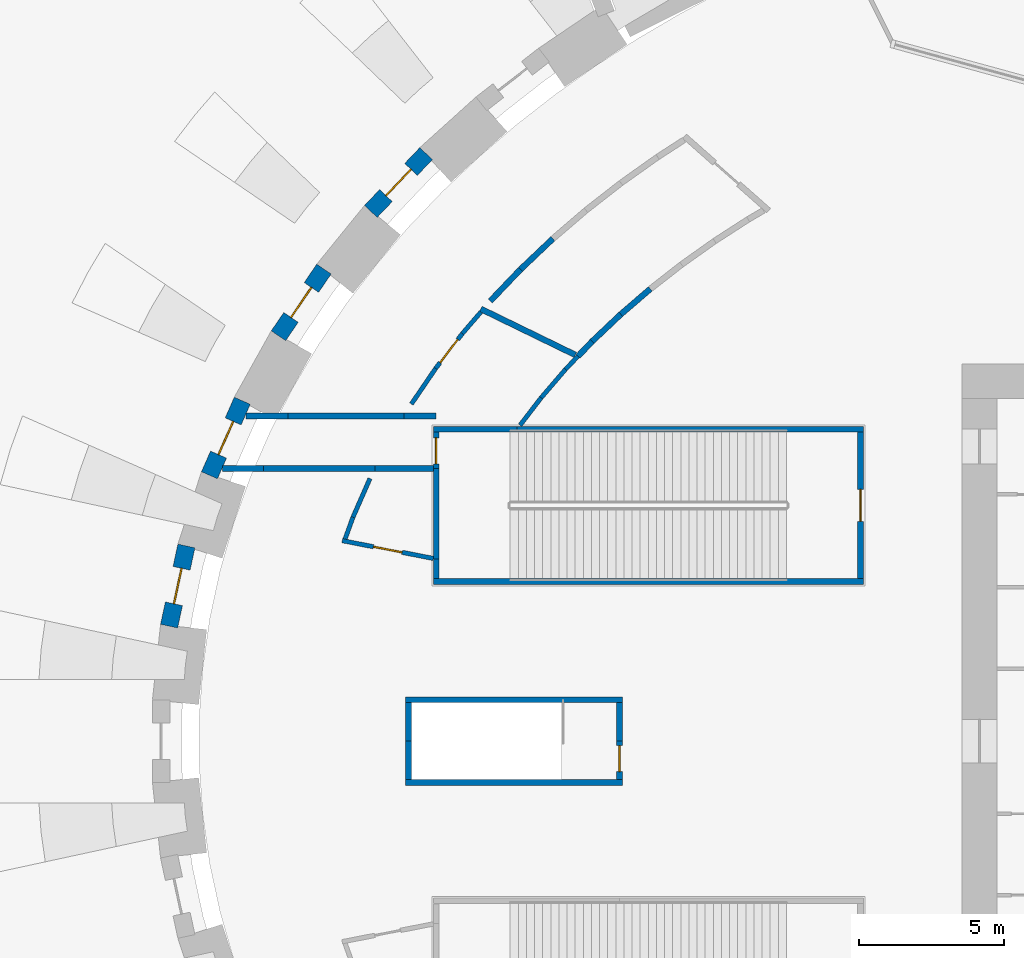
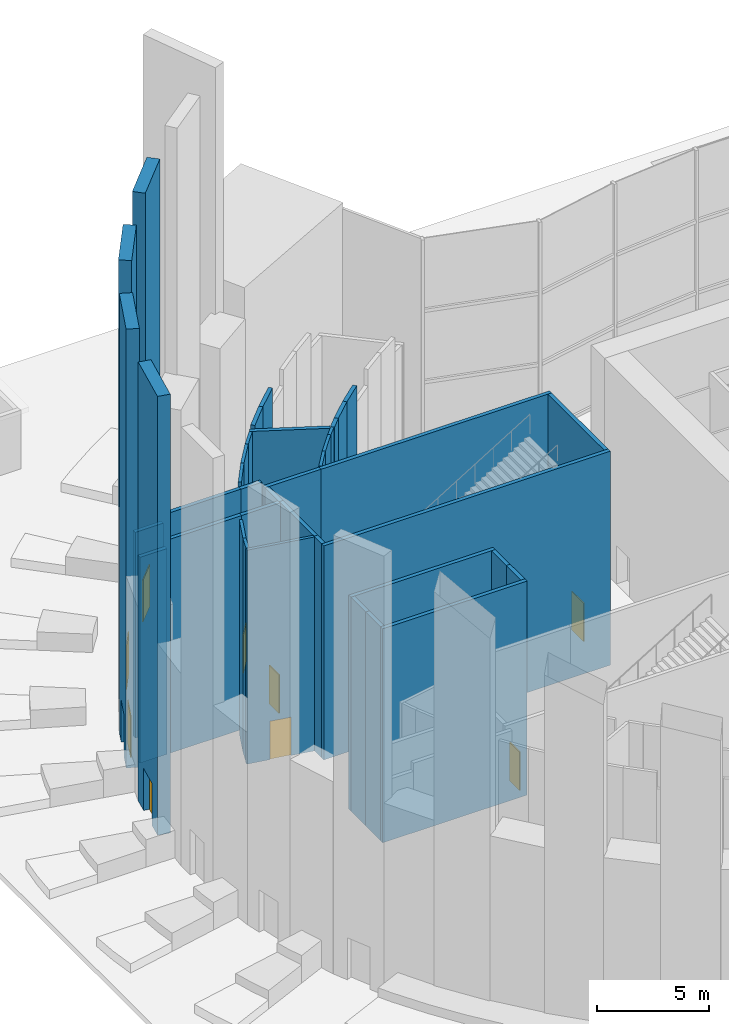
# One storey, part 9 of 25: 38 walls, 9 doors, 9 openings.
"""IFC4 building model written with IfcOpenShell, lengths in metres."""

from ifc_helpers import new_model, si_unit, direction, frame, frame_2d, origin, place, context, subcontext, project, spatial, rectangle, extrude, source, transform, mapped, material, layer, layer_set, type_object, element, fill, save


model = new_model("IFC4")

# Units and contexts
model_context = context("Model", 3, precision=1e-05, world=origin(), true_north=direction((0.0, 1.0)))
body_context = subcontext(model_context, "Body", "Model", "MODEL_VIEW")
ifc_project = project(units=[si_unit("LENGTHUNIT", "METRE"), si_unit("AREAUNIT", "SQUARE_METRE"), si_unit("VOLUMEUNIT", "CUBIC_METRE"), si_unit("PLANEANGLEUNIT", "RADIAN"), si_unit("MASSUNIT", "GRAM", prefix="KILO")], contexts=[model_context])

# Site, building, storey
site_placement = place(None, origin())
site = spatial("IfcSite", under=ifc_project, at=site_placement, CompositionType="ELEMENT")
building_placement = place(site_placement, origin())
building = spatial("IfcBuilding", under=site, at=building_placement, Name="Embergate Tower", CompositionType="ELEMENT")
storey_placement = place(building_placement, origin())
storey = spatial("IfcBuildingStorey", under=building, at=storey_placement, Name="L00", CompositionType="ELEMENT", Elevation=0.0)

# Wall, opening, door
ifc_material_1 = material(Name="Brick masonry, solid, with terracotta coping", Category="masonry")
ifc_layer_1 = layer(ifc_material_1, 0.60009765625)
ifc_layer_set_1 = layer_set([ifc_layer_1], Name="Brick masonry, solid, with terracotta coping")
wall_type_1 = type_object("IfcWallType", Name="Masonry base wall", PredefinedType="SOLIDWALL", material=ifc_layer_set_1)
shared_shape_1 = source(origin(), body_context, "Body", "SweptSolid", [
    extrude(rectangle(XDim=2.75634765625, YDim=0.60009765625, at=frame_2d((1.378173828125, 0.0))), origin(), (0.0, 0.0, 1.0), 24.0),
])
wall_1_placement = place(storey_placement, frame((-34.37060546875, 18.251708984375, 0.0), z_axis=(0.0, 0.0, 1.0), x_axis=(0.691073808808, 0.722784193781, 0.0)))
wall_1 = element("IfcWall", 1, at=wall_1_placement, inside=storey, type_object=wall_type_1, Name="Masonry base wall 18", PredefinedType="SOLIDWALL", context=body_context, shape_type="MappedRepresentation", body=[
    mapped(shared_shape_1, transform((0.0, 0.0, 0.0))),
])
shared_shape_2 = source(origin(), body_context, "Body", "SweptSolid", [
    extrude(rectangle(XDim=1.25, YDim=2.300048828125, at=frame_2d((0.625, 1.14990234375))), frame((0.0, 0.31005859375, 0.0), z_axis=(0.0, -1.0, 0.0), x_axis=(1.0, 0.0, 0.0)), (0.0, 0.0, 1.0), 0.6201171875),
])
opening_1_placement = place(wall_1_placement, frame((0.75341796875, 0.0, 0.0)))
opening_1 = element("IfcOpeningElement", 2, at=opening_1_placement, cuts=wall_1, Name="Opening XD", PredefinedType="OPENING", context=body_context, shape_type="MappedRepresentation", body=[
    mapped(shared_shape_2, transform((0.0, 0.0, 0.0))),
])
ifc_material_2 = material(Name="Aluminium and toughened glass", Category="aluminium")
door_type_1 = type_object("IfcDoorType", Name="Exit door leaf", OperationType="SINGLE_SWING_LEFT", PredefinedType="DOOR", material=ifc_material_2)
shared_shape_3 = source(origin(), body_context, "Body", "SweptSolid", [
    extrude(rectangle(XDim=1.25, YDim=2.300048828125, at=frame_2d((0.625, 1.14990234375))), frame((0.0, 0.02490234375, 0.0), z_axis=(0.0, -1.0, 0.0), x_axis=(1.0, 0.0, 0.0)), (0.0, 0.0, 1.0), 0.050048828125),
])
door_1_placement = place(opening_1_placement, origin())
door_1 = element("IfcDoor", 3, at=door_1_placement, inside=storey, type_object=door_type_1, Name="Exit door exit 18.1", OperationType="SINGLE_SWING_LEFT", OverallHeight=2.300048828125, OverallWidth=1.25, PredefinedType="DOOR", context=body_context, shape_type="MappedRepresentation", body=[
    mapped(shared_shape_3, transform((0.0, 0.0, 0.0))),
])
fill(opening_1, door_1)

shared_shape_4 = source(origin(), body_context, "Body", "SweptSolid", [
    extrude(rectangle(XDim=2.781982421875, YDim=0.60009765625, at=frame_2d((1.39111328125, 0.0))), origin(), (0.0, 0.0, 1.0), 24.0),
])
wall_2_placement = place(storey_placement, frame((-37.553466796875, 13.967041015625, 0.0), z_axis=(0.0, 0.0, 1.0), x_axis=(0.563478413483, 0.826130787187, 0.0)))
wall_2 = element("IfcWall", 4, at=wall_2_placement, inside=storey, type_object=wall_type_1, Name="Masonry base wall 19", PredefinedType="SOLIDWALL", context=body_context, shape_type="MappedRepresentation", body=[
    mapped(shared_shape_4, transform((0.0, 0.0, 0.0))),
])
opening_2_placement = place(wall_2_placement, frame((0.76611328125, 0.0, 0.0)))
opening_2 = element("IfcOpeningElement", 5, at=opening_2_placement, cuts=wall_2, Name="Opening XD", PredefinedType="OPENING", context=body_context, shape_type="MappedRepresentation", body=[
    mapped(shared_shape_2, transform((0.0, 0.0, 0.0))),
])
door_2_placement = place(opening_2_placement, origin())
door_2 = element("IfcDoor", 6, at=door_2_placement, inside=storey, type_object=door_type_1, Name="Exit door exit 19.1", OperationType="SINGLE_SWING_LEFT", OverallHeight=2.300048828125, OverallWidth=1.25, PredefinedType="DOOR", context=body_context, shape_type="MappedRepresentation", body=[
    mapped(shared_shape_3, transform((0.0, 0.0, 0.0))),
])
fill(opening_2, door_2)

shared_shape_5 = source(origin(), body_context, "Body", "SweptSolid", [
    extrude(rectangle(XDim=2.8076171875, YDim=0.60009765625, at=frame_2d((1.40380859375, 0.0))), origin(), (0.0, 0.0, 1.0), 24.0),
])
wall_3_placement = place(storey_placement, frame((-39.930908203125, 9.160888671875, 0.0), z_axis=(0.0, 0.0, 1.0), x_axis=(0.402852255888, 0.915265021688, 0.0)))
wall_3 = element("IfcWall", 7, at=wall_3_placement, inside=storey, type_object=wall_type_1, Name="Masonry base wall 20", PredefinedType="SOLIDWALL", context=body_context, shape_type="MappedRepresentation", body=[
    mapped(shared_shape_5, transform((0.0, 0.0, 0.0))),
])
opening_3_placement = place(wall_3_placement, frame((0.77880859375, 0.0, 0.0)))
opening_3 = element("IfcOpeningElement", 8, at=opening_3_placement, cuts=wall_3, Name="Opening XD", PredefinedType="OPENING", context=body_context, shape_type="MappedRepresentation", body=[
    mapped(shared_shape_2, transform((0.0, 0.0, 0.0))),
])
door_3_placement = place(opening_3_placement, origin())
door_3 = element("IfcDoor", 9, at=door_3_placement, inside=storey, type_object=door_type_1, Name="Exit door exit 20.1", OperationType="SINGLE_SWING_LEFT", OverallHeight=2.300048828125, OverallWidth=1.25, PredefinedType="DOOR", context=body_context, shape_type="MappedRepresentation", body=[
    mapped(shared_shape_3, transform((0.0, 0.0, 0.0))),
])
fill(opening_3, door_3)

shared_shape_6 = source(origin(), body_context, "Body", "SweptSolid", [
    extrude(rectangle(XDim=2.827392578125, YDim=0.60009765625, at=frame_2d((1.41357421875, 0.0))), origin(), (0.0, 0.0, 1.0), 24.0),
])
wall_4_placement = place(storey_placement, frame((-41.3212890625, 3.963134765625, 0.0), z_axis=(0.0, 0.0, 1.0), x_axis=(0.211120984775, 0.977459937689, 0.0)))
wall_4 = element("IfcWall", 10, at=wall_4_placement, inside=storey, type_object=wall_type_1, Name="Masonry base wall 21", PredefinedType="SOLIDWALL", context=body_context, shape_type="MappedRepresentation", body=[
    mapped(shared_shape_6, transform((0.0, 0.0, 0.0))),
])
opening_4_placement = place(wall_4_placement, frame((0.788818359375, 0.0, 0.0)))
opening_4 = element("IfcOpeningElement", 11, at=opening_4_placement, cuts=wall_4, Name="Opening XD", PredefinedType="OPENING", context=body_context, shape_type="MappedRepresentation", body=[
    mapped(shared_shape_2, transform((0.0, 0.0, 0.0))),
])
door_4_placement = place(opening_4_placement, origin())
door_4 = element("IfcDoor", 12, at=door_4_placement, inside=storey, type_object=door_type_1, Name="Exit door exit 21.1", OperationType="SINGLE_SWING_LEFT", OverallHeight=2.300048828125, OverallWidth=1.25, PredefinedType="DOOR", context=body_context, shape_type="MappedRepresentation", body=[
    mapped(shared_shape_3, transform((0.0, 0.0, 0.0))),
])
fill(opening_4, door_4)

# Walls
ifc_material_3 = material(Name="Blockwork, plastered", Category="masonry")
ifc_layer_2 = layer(ifc_material_3, 0.199951171875)
ifc_layer_set_2 = layer_set([ifc_layer_2], Name="Blockwork, plastered")
wall_type_2 = type_object("IfcWallType", Name="Fire partition wall 200 block", PredefinedType="PARTITIONING", material=ifc_layer_set_2)
shared_shape_7 = source(origin(), body_context, "Body", "SweptSolid", [
    extrude(rectangle(XDim=1.408203125, YDim=0.199951171875, at=frame_2d((0.7041015625, 0.0))), origin(), (0.0, 0.0, 1.0), 11.25),
])
wall_5_placement = place(storey_placement, frame((-38.06689453125, 9.39990234375, 0.0), z_axis=(0.0, 0.0, 1.0), x_axis=(-1.0, 0.0, 0.0)))
element("IfcWall", 13, at=wall_5_placement, inside=storey, type_object=wall_type_2, Name="Partition 004", PredefinedType="PARTITIONING", context=body_context, shape_type="MappedRepresentation", body=[
    mapped(shared_shape_7, transform((0.0, 0.0, 0.0))),
])
shared_shape_8 = source(origin(), body_context, "Body", "SweptSolid", [
    extrude(rectangle(XDim=1.449951171875, YDim=0.199951171875, at=frame_2d((0.72509765625, 0.0))), origin(), (0.0, 0.0, 1.0), 11.25),
])
wall_6_placement = place(storey_placement, frame((-38.676025390625, 11.199951171875, 0.0), z_axis=(0.0, 0.0, 1.0), x_axis=(1.0, 0.0, 0.0)))
element("IfcWall", 14, at=wall_6_placement, inside=storey, type_object=wall_type_2, Name="Partition 002", PredefinedType="PARTITIONING", context=body_context, shape_type="MappedRepresentation", body=[
    mapped(shared_shape_8, transform((0.0, 0.0, 0.0))),
])
shared_shape_9 = source(origin(), body_context, "Body", "SweptSolid", [
    extrude(rectangle(XDim=3.847900390625, YDim=0.199951171875, at=frame_2d((1.923828125, 0.0))), origin(), (0.0, 0.0, 1.0), 11.699951171875),
])
wall_7_placement = place(storey_placement, frame((-34.218994140625, 9.39990234375, 0.0), z_axis=(0.0, 0.0, 1.0), x_axis=(-1.0, 0.0, 0.0)))
element("IfcWall", 15, at=wall_7_placement, inside=storey, type_object=wall_type_2, Name="Partition 013", PredefinedType="PARTITIONING", context=body_context, shape_type="MappedRepresentation", body=[
    mapped(shared_shape_9, transform((0.0, 0.0, 0.0))),
])
shared_shape_10 = source(origin(), body_context, "Body", "SweptSolid", [
    extrude(rectangle(XDim=4.005126953125, YDim=0.199951171875, at=frame_2d((2.00244140625, 0.0))), origin(), (0.0, 0.0, 1.0), 11.699951171875),
])
wall_8_placement = place(storey_placement, frame((-37.22607421875, 11.199951171875, 0.0), z_axis=(0.0, 0.0, 1.0), x_axis=(1.0, 0.0, 0.0)))
element("IfcWall", 16, at=wall_8_placement, inside=storey, type_object=wall_type_2, Name="Partition 006", PredefinedType="PARTITIONING", context=body_context, shape_type="MappedRepresentation", body=[
    mapped(shared_shape_10, transform((0.0, 0.0, 0.0))),
])

# Wall, opening, door
ifc_material_4 = material(Name="Plasterboard on steel stud", Category="steel")
ifc_layer_3 = layer(ifc_material_4, 0.14990234375)
ifc_layer_set_3 = layer_set([ifc_layer_3], Name="Plasterboard on steel stud")
wall_type_3 = type_object("IfcWallType", Name="Partition wall 150 board", PredefinedType="PARTITIONING", material=ifc_layer_set_3)
shared_shape_11 = source(origin(), body_context, "Body", "SweptSolid", [
    extrude(rectangle(XDim=3.199462890625, YDim=0.14990234375, at=frame_2d((1.599609375, 0.0))), origin(), (0.0, 0.0, 1.0), 11.699951171875),
])
wall_9_placement = place(storey_placement, frame((-32.218017578125, 6.2958984375, 0.0), z_axis=(0.0, 0.0, 1.0), x_axis=(-0.98141109372, 0.191917339298, 0.0)))
wall_9 = element("IfcWall", 17, at=wall_9_placement, inside=storey, type_object=wall_type_3, Name="Partition 029", PredefinedType="PARTITIONING", context=body_context, shape_type="MappedRepresentation", body=[
    mapped(shared_shape_11, transform((0.0, 0.0, 0.0))),
])
shared_shape_12 = source(origin(), body_context, "Body", "SweptSolid", [
    extrude(rectangle(XDim=1.0, YDim=2.10009765625, at=frame_2d((0.5, 1.050048828125))), frame((0.0, 0.0849609375, 0.0), z_axis=(0.0, -1.0, 0.0), x_axis=(1.0, 0.0, 0.0)), (0.0, 0.0, 1.0), 0.169921875),
])
opening_5_placement = place(wall_9_placement, frame((1.09912109375, 0.0, 0.0)))
opening_5 = element("IfcOpeningElement", 18, at=opening_5_placement, cuts=wall_9, Name="Opening DS-011", PredefinedType="OPENING", context=body_context, shape_type="MappedRepresentation", body=[
    mapped(shared_shape_12, transform((0.0, 0.0, 0.0))),
])
ifc_material_5 = material(Name="Timber door leaf, steel frame", Category="steel")
door_type_2 = type_object("IfcDoorType", Name="Single door 1000x2100", OperationType="SINGLE_SWING_LEFT", PredefinedType="DOOR", material=ifc_material_5)
shared_shape_13 = source(origin(), body_context, "Body", "SweptSolid", [
    extrude(rectangle(XDim=1.0, YDim=2.10009765625, at=frame_2d((0.5, 1.050048828125))), frame((0.0, 0.02490234375, 0.0), z_axis=(0.0, -1.0, 0.0), x_axis=(1.0, 0.0, 0.0)), (0.0, 0.0, 1.0), 0.050048828125),
])
door_5_placement = place(opening_5_placement, origin())
door_5 = element("IfcDoor", 19, at=door_5_placement, inside=storey, type_object=door_type_2, Name="Door to Security control room", OperationType="SINGLE_SWING_LEFT", OverallHeight=2.10009765625, OverallWidth=1.0, PredefinedType="DOOR", context=body_context, shape_type="MappedRepresentation", body=[
    mapped(shared_shape_13, transform((0.0, 0.0, 0.0))),
])
fill(opening_5, door_5)

# Walls
shared_shape_14 = source(origin(), body_context, "Body", "SweptSolid", [
    extrude(rectangle(XDim=0.79443359375, YDim=0.14990234375, at=frame_2d((0.397216796875, 0.0))), origin(), (0.0, 0.0, 1.0), 11.699951171875),
])
wall_10_placement = place(storey_placement, frame((-35.258056640625, 6.966064453125, 0.0), z_axis=(0.0, 0.0, 1.0), x_axis=(0.341101469558, 0.940026482321, 0.0)))
element("IfcWall", 20, at=wall_10_placement, inside=storey, type_object=wall_type_3, Name="Partition 008", PredefinedType="PARTITIONING", context=body_context, shape_type="MappedRepresentation", body=[
    mapped(shared_shape_14, transform((0.0, 0.0, 0.0))),
])
shared_shape_15 = source(origin(), body_context, "Body", "SweptSolid", [
    extrude(rectangle(XDim=1.458984375, YDim=0.14990234375, at=frame_2d((0.7294921875, 0.0))), origin(), (0.0, 0.0, 1.0), 11.699951171875),
])
wall_11_placement = place(storey_placement, frame((-34.987060546875, 7.712890625, 0.0), z_axis=(0.0, 0.0, 1.0), x_axis=(0.401740274044, 0.915753652579, 0.0)))
element("IfcWall", 21, at=wall_11_placement, inside=storey, type_object=wall_type_3, Name="Partition 010", PredefinedType="PARTITIONING", context=body_context, shape_type="MappedRepresentation", body=[
    mapped(shared_shape_15, transform((0.0, 0.0, 0.0))),
])
shared_shape_16 = source(origin(), body_context, "Body", "SweptSolid", [
    extrude(rectangle(XDim=1.9990234375, YDim=0.199951171875, at=frame_2d((0.99951171875, 0.0))), origin(), (0.0, 0.0, 1.0), 11.699951171875),
])
wall_12_placement = place(storey_placement, frame((-32.219970703125, 9.39990234375, 0.0), z_axis=(0.0, 0.0, 1.0), x_axis=(-1.0, 0.0, 0.0)))
element("IfcWall", 22, at=wall_12_placement, inside=storey, type_object=wall_type_2, Name="Partition 030", PredefinedType="PARTITIONING", context=body_context, shape_type="MappedRepresentation", body=[
    mapped(shared_shape_16, transform((0.0, 0.0, 0.0))),
])
shared_shape_17 = source(origin(), body_context, "Body", "SweptSolid", [
    extrude(rectangle(XDim=1.100830078125, YDim=0.199951171875, at=frame_2d((0.55029296875, 0.0))), origin(), (0.0, 0.0, 1.0), 11.699951171875),
])
wall_13_placement = place(storey_placement, frame((-33.220947265625, 11.199951171875, 0.0), z_axis=(0.0, 0.0, 1.0), x_axis=(1.0, 0.0, 0.0)))
element("IfcWall", 23, at=wall_13_placement, inside=storey, type_object=wall_type_2, Name="Partition 015", PredefinedType="PARTITIONING", context=body_context, shape_type="MappedRepresentation", body=[
    mapped(shared_shape_17, transform((0.0, 0.0, 0.0))),
])
ifc_material_6 = material(Name="Concrete C40", Category="concrete")
ifc_layer_4 = layer(ifc_material_6, 0.199951171875)
ifc_layer_set_4 = layer_set([ifc_layer_4], Name="Concrete C40")
wall_type_4 = type_object("IfcWallType", Name="Stair enclosure wall RC 200", PredefinedType="STANDARD", material=ifc_layer_set_4)
shared_shape_18 = source(origin(), body_context, "Body", "SweptSolid", [
    extrude(rectangle(XDim=1.324951171875, YDim=0.199951171875, at=frame_2d((0.66259765625, 0.0))), origin(), (0.0, 0.0, 1.0), 11.699951171875),
])
for number, where, z_axis, x_axis, name in (
    (24, (-33.070068359375, -1.324951171875, 0.0), (0.0, 0.0, 1.0), (0.0, 1.0, 0.0), "Stair wall 016"),
    (25, (-33.070068359375, 0.0, 0.0), (0.0, 0.0, 1.0), (0.0, 1.0, 0.0), "Stair wall 017"),
):
    element("IfcWall", number, at=place(storey_placement, frame(where, z_axis=z_axis, x_axis=x_axis)), inside=storey, type_object=wall_type_4, Name=name, PredefinedType="STANDARD", context=body_context, shape_type="MappedRepresentation", body=[
        mapped(shared_shape_18, transform((0.0, 0.0, 0.0))),
    ])

# Wall, opening, door
wall_14_placement = place(storey_placement, frame((-25.800048828125, 0.0, 0.0), z_axis=(0.0, 0.0, 1.0), x_axis=(0.0, -1.0, 0.0)))
wall_14 = element("IfcWall", 26, at=wall_14_placement, inside=storey, type_object=wall_type_4, Name="Stair wall 057", PredefinedType="STANDARD", context=body_context, shape_type="MappedRepresentation", body=[
    mapped(shared_shape_18, transform((0.0, 0.0, 0.0))),
])
shared_shape_19 = source(origin(), body_context, "Body", "SweptSolid", [
    extrude(rectangle(XDim=0.89990234375, YDim=2.10009765625, at=frame_2d((0.449951171875, 1.050048828125))), frame((0.0, 0.10986328125, 0.0), z_axis=(0.0, -1.0, 0.0), x_axis=(1.0, 0.0, 0.0)), (0.0, 0.0, 1.0), 0.219970703125),
])
opening_6_placement = place(wall_14_placement, frame((0.14990234375, 0.0, 0.0)))
opening_6 = element("IfcOpeningElement", 27, at=opening_6_placement, cuts=wall_14, Name="Opening DS-020", PredefinedType="OPENING", context=body_context, shape_type="MappedRepresentation", body=[
    mapped(shared_shape_19, transform((0.0, 0.0, 0.0))),
])
door_type_3 = type_object("IfcDoorType", Name="Single door 900x2100", OperationType="SINGLE_SWING_LEFT", PredefinedType="DOOR", material=ifc_material_5)
shared_shape_20 = source(origin(), body_context, "Body", "SweptSolid", [
    extrude(rectangle(XDim=0.89990234375, YDim=2.10009765625, at=frame_2d((0.449951171875, 1.050048828125))), frame((0.0, 0.02490234375, 0.0), z_axis=(0.0, -1.0, 0.0), x_axis=(1.0, 0.0, 0.0)), (0.0, 0.0, 1.0), 0.050048828125),
])
door_6_placement = place(opening_6_placement, origin())
door_6 = element("IfcDoor", 28, at=door_6_placement, inside=storey, type_object=door_type_3, Name="Door to Exit stair enclosure", OperationType="SINGLE_SWING_LEFT", OverallHeight=2.10009765625, OverallWidth=0.89990234375, PredefinedType="DOOR", context=body_context, shape_type="MappedRepresentation", body=[
    mapped(shared_shape_20, transform((0.0, 0.0, 0.0))),
])
fill(opening_6, door_6)

# Walls
wall_15_placement = place(storey_placement, frame((-25.800048828125, 1.324951171875, 0.0), z_axis=(0.0, 0.0, 1.0), x_axis=(0.0, -1.0, 0.0)))
element("IfcWall", 29, at=wall_15_placement, inside=storey, type_object=wall_type_4, Name="Stair wall 058", PredefinedType="STANDARD", context=body_context, shape_type="MappedRepresentation", body=[
    mapped(shared_shape_18, transform((0.0, 0.0, 0.0))),
])
shared_shape_21 = source(origin(), body_context, "Body", "SweptSolid", [
    extrude(rectangle(XDim=7.469970703125, YDim=0.199951171875, at=frame_2d((3.73486328125, 0.0))), origin(), (0.0, 0.0, 1.0), 11.699951171875),
])
for number, where, z_axis, x_axis, name in (
    (30, (-33.169921875, 1.425048828125, 0.0), (0.0, 0.0, 1.0), (1.0, 0.0, 0.0), "Stair wall 018"),
    (31, (-25.699951171875, -1.425048828125, 0.0), (0.0, 0.0, 1.0), (-1.0, 0.0, 0.0), "Stair wall 056"),
):
    element("IfcWall", number, at=place(storey_placement, frame(where, z_axis=z_axis, x_axis=x_axis)), inside=storey, type_object=wall_type_4, Name=name, PredefinedType="STANDARD", context=body_context, shape_type="MappedRepresentation", body=[
        mapped(shared_shape_21, transform((0.0, 0.0, 0.0))),
    ])
shared_shape_22 = source(origin(), body_context, "Body", "SweptSolid", [
    extrude(rectangle(XDim=1.48291015625, YDim=0.14990234375, at=frame_2d((0.741455078125, 0.0))), origin(), (0.0, 0.0, 1.0), 11.699951171875),
])
wall_16_placement = place(storey_placement, frame((-32.972900390625, 11.615966796875, 0.0), z_axis=(0.0, 0.0, 1.0), x_axis=(0.56242710462, 0.826846873362, 0.0)))
element("IfcWall", 32, at=wall_16_placement, inside=storey, type_object=wall_type_3, Name="Partition 019", PredefinedType="PARTITIONING", context=body_context, shape_type="MappedRepresentation", body=[
    mapped(shared_shape_22, transform((0.0, 0.0, 0.0))),
])

# Wall, opening, door
shared_shape_23 = source(origin(), body_context, "Body", "SweptSolid", [
    extrude(rectangle(XDim=1.509765625, YDim=0.14990234375, at=frame_2d((0.7548828125, 0.0))), origin(), (0.0, 0.0, 1.0), 11.699951171875),
])
wall_17_placement = place(storey_placement, frame((-32.138916015625, 12.842041015625, 0.0), z_axis=(0.0, 0.0, 1.0), x_axis=(0.608631808194, 0.793452785019, 0.0)))
wall_17 = element("IfcWall", 33, at=wall_17_placement, inside=storey, type_object=wall_type_3, Name="Partition 021", PredefinedType="PARTITIONING", context=body_context, shape_type="MappedRepresentation", body=[
    mapped(shared_shape_23, transform((0.0, 0.0, 0.0))),
])
opening_7_placement = place(wall_17_placement, frame((0.2548828125, 0.0, 0.0)))
opening_7 = element("IfcOpeningElement", 34, at=opening_7_placement, cuts=wall_17, Name="Opening DS-010", PredefinedType="OPENING", context=body_context, shape_type="MappedRepresentation", body=[
    mapped(shared_shape_12, transform((0.0, 0.0, 0.0))),
])
door_7_placement = place(opening_7_placement, origin())
door_7 = element("IfcDoor", 35, at=door_7_placement, inside=storey, type_object=door_type_2, Name="Door to Security control room", OperationType="SINGLE_SWING_LEFT", OverallHeight=2.10009765625, OverallWidth=1.0, PredefinedType="DOOR", context=body_context, shape_type="MappedRepresentation", body=[
    mapped(shared_shape_13, transform((0.0, 0.0, 0.0))),
])
fill(opening_7, door_7)

# Wall
shared_shape_24 = source(origin(), body_context, "Body", "SweptSolid", [
    extrude(rectangle(XDim=2.888916015625, YDim=0.199951171875, at=frame_2d((1.4443359375, 0.0))), origin(), (0.0, 0.0, 1.0), 11.699951171875),
])
wall_18_placement = place(storey_placement, frame((-29.3310546875, 10.75, 0.0), z_axis=(0.0, 0.0, 1.0), x_axis=(-1.0, 0.0, 0.0)))
element("IfcWall", 36, at=wall_18_placement, inside=storey, type_object=wall_type_4, Name="Stair wall 037", PredefinedType="STANDARD", context=body_context, shape_type="MappedRepresentation", body=[
    mapped(shared_shape_24, transform((0.0, 0.0, 0.0))),
])

# Wall, opening, door
shared_shape_25 = source(origin(), body_context, "Body", "SweptSolid", [
    extrude(rectangle(XDim=1.25, YDim=0.199951171875, at=frame_2d((0.625, 0.0))), origin(), (0.0, 0.0, 1.0), 11.699951171875),
])
wall_19_placement = place(storey_placement, frame((-32.1201171875, 10.64990234375, 0.0), z_axis=(0.0, 0.0, 1.0), x_axis=(0.0, -1.0, 0.0)))
wall_19 = element("IfcWall", 37, at=wall_19_placement, inside=storey, type_object=wall_type_4, Name="Stair wall 032", PredefinedType="STANDARD", context=body_context, shape_type="MappedRepresentation", body=[
    mapped(shared_shape_25, transform((0.0, 0.0, 0.0))),
])
opening_8_placement = place(wall_19_placement, frame((0.199951171875, 0.0, 0.0)))
opening_8 = element("IfcOpeningElement", 38, at=opening_8_placement, cuts=wall_19, Name="Opening DS-002", PredefinedType="OPENING", context=body_context, shape_type="MappedRepresentation", body=[
    mapped(shared_shape_19, transform((0.0, 0.0, 0.0))),
])
door_8_placement = place(opening_8_placement, origin())
door_8 = element("IfcDoor", 39, at=door_8_placement, inside=storey, type_object=door_type_3, Name="Door to Stair exit passage", OperationType="SINGLE_SWING_LEFT", OverallHeight=2.10009765625, OverallWidth=0.89990234375, PredefinedType="DOOR", context=body_context, shape_type="MappedRepresentation", body=[
    mapped(shared_shape_20, transform((0.0, 0.0, 0.0))),
])
fill(opening_8, door_8)

# Walls
shared_shape_26 = source(origin(), body_context, "Body", "SweptSolid", [
    extrude(rectangle(XDim=3.122802734375, YDim=0.199951171875, at=frame_2d((1.5615234375, 0.0))), origin(), (0.0, 0.0, 1.0), 11.699951171875),
])
wall_20_placement = place(storey_placement, frame((-32.1201171875, 9.39990234375, 0.0), z_axis=(0.0, 0.0, 1.0), x_axis=(0.0, -1.0, 0.0)))
element("IfcWall", 40, at=wall_20_placement, inside=storey, type_object=wall_type_4, Name="Stair wall 031", PredefinedType="STANDARD", context=body_context, shape_type="MappedRepresentation", body=[
    mapped(shared_shape_26, transform((0.0, 0.0, 0.0))),
])
shared_shape_27 = source(origin(), body_context, "Body", "SweptSolid", [
    extrude(rectangle(XDim=0.677001953125, YDim=0.199951171875, at=frame_2d((0.33837890625, 0.0))), origin(), (0.0, 0.0, 1.0), 11.699951171875),
])
wall_21_placement = place(storey_placement, frame((-32.1201171875, 5.60009765625, 0.0), z_axis=(0.0, 0.0, 1.0), x_axis=(0.0, 1.0, 0.0)))
element("IfcWall", 41, at=wall_21_placement, inside=storey, type_object=wall_type_4, Name="Stair wall 028", PredefinedType="STANDARD", context=body_context, shape_type="MappedRepresentation", body=[
    mapped(shared_shape_27, transform((0.0, 0.0, 0.0))),
])
shared_shape_28 = source(origin(), body_context, "Body", "SweptSolid", [
    extrude(rectangle(XDim=0.98193359375, YDim=0.14990234375, at=frame_2d((0.490966796875, 0.0))), origin(), (0.0, 0.0, 1.0), 11.699951171875),
])
wall_22_placement = place(storey_placement, frame((-31.219970703125, 14.0400390625, 0.0), z_axis=(0.0, 0.0, 1.0), x_axis=(0.65163043047, 0.758536605633, 0.0)))
element("IfcWall", 42, at=wall_22_placement, inside=storey, type_object=wall_type_3, Name="Partition 034", PredefinedType="PARTITIONING", context=body_context, shape_type="MappedRepresentation", body=[
    mapped(shared_shape_28, transform((0.0, 0.0, 0.0))),
])
shared_shape_29 = source(origin(), body_context, "Body", "SweptSolid", [
    extrude(rectangle(XDim=1.5078125, YDim=0.199951171875, at=frame_2d((0.75390625, 0.0))), origin(), (0.0, 0.0, 1.0), 11.699951171875),
])
wall_23_placement = place(storey_placement, frame((-30.256103515625, 15.1630859375, 0.0), z_axis=(0.0, 0.0, 1.0), x_axis=(0.690398724504, 0.723429057478, 0.0)))
element("IfcWall", 43, at=wall_23_placement, inside=storey, type_object=wall_type_2, Name="Partition 036", PredefinedType="PARTITIONING", context=body_context, shape_type="MappedRepresentation", body=[
    mapped(shared_shape_29, transform((0.0, 0.0, 0.0))),
])
shared_shape_30 = source(origin(), body_context, "Body", "SweptSolid", [
    extrude(rectangle(XDim=11.93115234375, YDim=0.199951171875, at=frame_2d((5.965576171875, 0.0))), origin(), (0.0, 0.0, 1.0), 11.699951171875),
])
wall_24_placement = place(storey_placement, frame((-29.3310546875, 10.75, 0.0), z_axis=(0.0, 0.0, 1.0), x_axis=(1.0, 0.0, 0.0)))
element("IfcWall", 44, at=wall_24_placement, inside=storey, type_object=wall_type_4, Name="Stair wall 038", PredefinedType="STANDARD", context=body_context, shape_type="MappedRepresentation", body=[
    mapped(shared_shape_30, transform((0.0, 0.0, 0.0))),
])
shared_shape_31 = source(origin(), body_context, "Body", "SweptSolid", [
    extrude(rectangle(XDim=1.192626953125, YDim=0.14990234375, at=frame_2d((0.59619140625, 0.0))), origin(), (0.0, 0.0, 1.0), 11.699951171875),
])
wall_25_placement = place(storey_placement, frame((-28.50390625, 11.83203125, 0.0), z_axis=(0.0, 0.0, 1.0), x_axis=(-0.608839758708, -0.793293229655, 0.0)))
element("IfcWall", 45, at=wall_25_placement, inside=storey, type_object=wall_type_3, Name="Partition 043", PredefinedType="PARTITIONING", context=body_context, shape_type="MappedRepresentation", body=[
    mapped(shared_shape_31, transform((0.0, 0.0, 0.0))),
])
shared_shape_32 = source(origin(), body_context, "Body", "SweptSolid", [
    extrude(rectangle(XDim=1.53515625, YDim=0.199951171875, at=frame_2d((0.767578125, 0.0))), origin(), (0.0, 0.0, 1.0), 11.699951171875),
])
wall_26_placement = place(storey_placement, frame((-29.215087890625, 16.25390625, 0.0), z_axis=(0.0, 0.0, 1.0), x_axis=(0.72570188564, 0.68800928277, 0.0)))
element("IfcWall", 46, at=wall_26_placement, inside=storey, type_object=wall_type_2, Name="Partition 041", PredefinedType="PARTITIONING", context=body_context, shape_type="MappedRepresentation", body=[
    mapped(shared_shape_32, transform((0.0, 0.0, 0.0))),
])
shared_shape_33 = source(origin(), body_context, "Body", "SweptSolid", [
    extrude(rectangle(XDim=1.294921875, YDim=0.14990234375, at=frame_2d((0.6474609375, 0.0))), origin(), (0.0, 0.0, 1.0), 11.699951171875),
])
wall_27_placement = place(storey_placement, frame((-27.660888671875, 12.81494140625, 0.0), z_axis=(0.0, 0.0, 1.0), x_axis=(-0.651024243625, -0.759056937398, 0.0)))
element("IfcWall", 47, at=wall_27_placement, inside=storey, type_object=wall_type_3, Name="Partition 046", PredefinedType="PARTITIONING", context=body_context, shape_type="MappedRepresentation", body=[
    mapped(shared_shape_33, transform((0.0, 0.0, 0.0))),
])
shared_shape_34 = source(origin(), body_context, "Body", "SweptSolid", [
    extrude(rectangle(XDim=3.6240234375, YDim=0.199951171875, at=frame_2d((1.81201171875, 0.0))), origin(), (0.0, 0.0, 1.0), 11.699951171875),
])
wall_28_placement = place(storey_placement, frame((-27.323974609375, 13.306884765625, 0.0), z_axis=(0.0, 0.0, 1.0), x_axis=(-0.899000750227, 0.437947087091, 0.0)))
element("IfcWall", 48, at=wall_28_placement, inside=storey, type_object=wall_type_2, Name="Partition 049", PredefinedType="PARTITIONING", context=body_context, shape_type="MappedRepresentation", body=[
    mapped(shared_shape_34, transform((0.0, 0.0, 0.0))),
])
shared_shape_35 = source(origin(), body_context, "Body", "SweptSolid", [
    extrude(rectangle(XDim=0.618896484375, YDim=0.14990234375, at=frame_2d((0.3095703125, 0.0))), origin(), (0.0, 0.0, 1.0), 11.699951171875),
])
wall_29_placement = place(storey_placement, frame((-27.23388671875, 13.262939453125, 0.0), z_axis=(0.0, 0.0, 1.0), x_axis=(-0.689940774721, -0.723865821391, 0.0)))
element("IfcWall", 49, at=wall_29_placement, inside=storey, type_object=wall_type_3, Name="Partition 050", PredefinedType="PARTITIONING", context=body_context, shape_type="MappedRepresentation", body=[
    mapped(shared_shape_35, transform((0.0, 0.0, 0.0))),
])
shared_shape_36 = source(origin(), body_context, "Body", "SweptSolid", [
    extrude(rectangle(XDim=0.707763671875, YDim=0.199951171875, at=frame_2d((0.35400390625, 0.0))), origin(), (0.0, 0.0, 1.0), 11.699951171875),
])
wall_30_placement = place(storey_placement, frame((-26.7451171875, 13.77490234375, 0.0), z_axis=(0.0, 0.0, 1.0), x_axis=(-0.690533169303, -0.723300727286, 0.0)))
element("IfcWall", 50, at=wall_30_placement, inside=storey, type_object=wall_type_2, Name="Partition 054", PredefinedType="PARTITIONING", context=body_context, shape_type="MappedRepresentation", body=[
    mapped(shared_shape_36, transform((0.0, 0.0, 0.0))),
])
shared_shape_37 = source(origin(), body_context, "Body", "SweptSolid", [
    extrude(rectangle(XDim=1.35888671875, YDim=0.199951171875, at=frame_2d((0.679443359375, 0.0))), origin(), (0.0, 0.0, 1.0), 11.699951171875),
])
wall_31_placement = place(storey_placement, frame((-25.758056640625, 14.708984375, 0.0), z_axis=(0.0, 0.0, 1.0), x_axis=(-0.726330235595, -0.687345901901, 0.0)))
element("IfcWall", 51, at=wall_31_placement, inside=storey, type_object=wall_type_2, Name="Partition 060", PredefinedType="PARTITIONING", context=body_context, shape_type="MappedRepresentation", body=[
    mapped(shared_shape_37, transform((0.0, 0.0, 0.0))),
])
shared_shape_38 = source(origin(), body_context, "Body", "SweptSolid", [
    extrude(rectangle(XDim=1.33837890625, YDim=0.199951171875, at=frame_2d((0.669189453125, 0.0))), origin(), (0.0, 0.0, 1.0), 11.699951171875),
])
wall_32_placement = place(storey_placement, frame((-24.742919921875, 15.5810546875, 0.0), z_axis=(0.0, 0.0, 1.0), x_axis=(-0.758535009676, -0.651632288255, 0.0)))
element("IfcWall", 52, at=wall_32_placement, inside=storey, type_object=wall_type_2, Name="Partition 064", PredefinedType="PARTITIONING", context=body_context, shape_type="MappedRepresentation", body=[
    mapped(shared_shape_38, transform((0.0, 0.0, 0.0))),
])

# Wall, opening, door
shared_shape_39 = source(origin(), body_context, "Body", "SweptSolid", [
    extrude(rectangle(XDim=5.0498046875, YDim=0.199951171875, at=frame_2d((2.52490234375, 0.0))), origin(), (0.0, 0.0, 1.0), 11.699951171875),
])
wall_33_placement = place(storey_placement, frame((-17.5, 10.64990234375, 0.0), z_axis=(0.0, 0.0, 1.0), x_axis=(0.0, -1.0, 0.0)))
wall_33 = element("IfcWall", 53, at=wall_33_placement, inside=storey, type_object=wall_type_4, Name="Stair wall 080", PredefinedType="STANDARD", context=body_context, shape_type="MappedRepresentation", body=[
    mapped(shared_shape_39, transform((0.0, 0.0, 0.0))),
])
shared_shape_40 = source(origin(), body_context, "Body", "SweptSolid", [
    extrude(rectangle(XDim=1.10009765625, YDim=2.10009765625, at=frame_2d((0.550048828125, 1.050048828125))), frame((0.0, 0.10986328125, 0.0), z_axis=(0.0, -1.0, 0.0), x_axis=(1.0, 0.0, 0.0)), (0.0, 0.0, 1.0), 0.219970703125),
])
opening_9_placement = place(wall_33_placement, frame((1.97509765625, 0.0, 0.0)))
opening_9 = element("IfcOpeningElement", 54, at=opening_9_placement, cuts=wall_33, Name="Opening DS-017", PredefinedType="OPENING", context=body_context, shape_type="MappedRepresentation", body=[
    mapped(shared_shape_40, transform((0.0, 0.0, 0.0))),
])
ifc_material_7 = material(Name="Steel fire door leaf", Category="steel")
door_type_4 = type_object("IfcDoorType", Name="Fire door class B 1100x2100", OperationType="SINGLE_SWING_LEFT", PredefinedType="DOOR", material=ifc_material_7)
shared_shape_41 = source(origin(), body_context, "Body", "SweptSolid", [
    extrude(rectangle(XDim=1.10009765625, YDim=2.10009765625, at=frame_2d((0.550048828125, 1.050048828125))), frame((0.0, 0.02490234375, 0.0), z_axis=(0.0, -1.0, 0.0), x_axis=(1.0, 0.0, 0.0)), (0.0, 0.0, 1.0), 0.050048828125),
])
door_9_placement = place(opening_9_placement, origin())
door_9 = element("IfcDoor", 55, at=door_9_placement, inside=storey, type_object=door_type_4, Name="Door to Exit stair enclosure", OperationType="SINGLE_SWING_LEFT", OverallHeight=2.10009765625, OverallWidth=1.10009765625, PredefinedType="DOOR", context=body_context, shape_type="MappedRepresentation", body=[
    mapped(shared_shape_41, transform((0.0, 0.0, 0.0))),
])
fill(opening_9, door_9)

# Wall
shared_shape_42 = source(origin(), body_context, "Body", "SweptSolid", [
    extrude(rectangle(XDim=14.820068359375, YDim=0.199951171875, at=frame_2d((7.41015625, 0.0))), origin(), (0.0, 0.0, 1.0), 11.699951171875),
])
wall_34_placement = place(storey_placement, frame((-17.39990234375, 5.5, 0.0), z_axis=(0.0, 0.0, 1.0), x_axis=(-1.0, 0.0, 0.0)))
element("IfcWall", 56, at=wall_34_placement, inside=storey, type_object=wall_type_4, Name="Stair wall 079", PredefinedType="STANDARD", context=body_context, shape_type="MappedRepresentation", body=[
    mapped(shared_shape_42, transform((0.0, 0.0, 0.0))),
])

save(model, "model.ifc")
